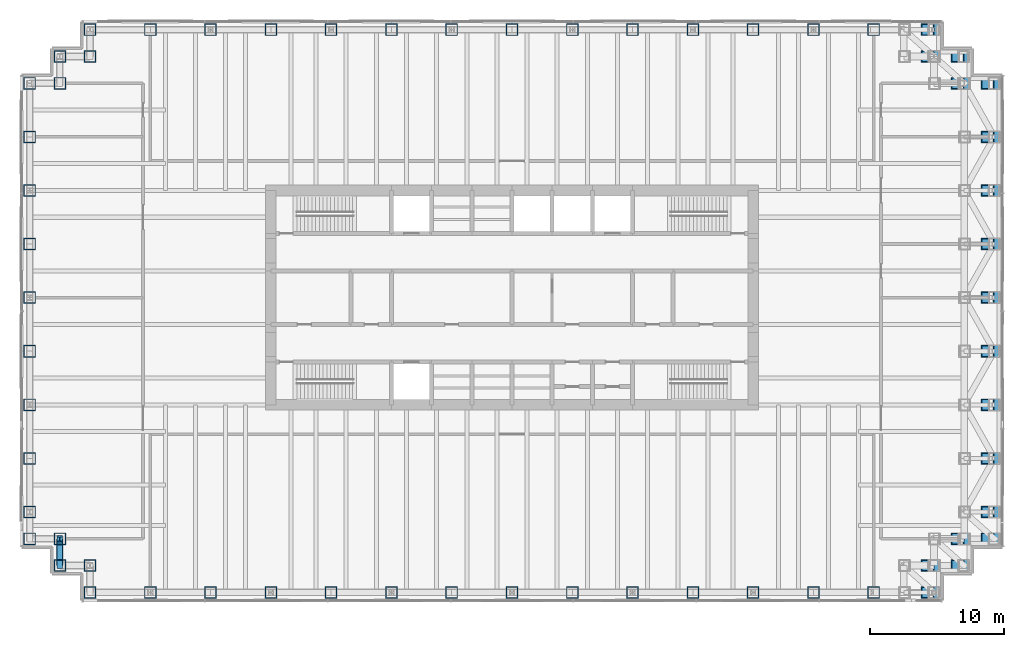
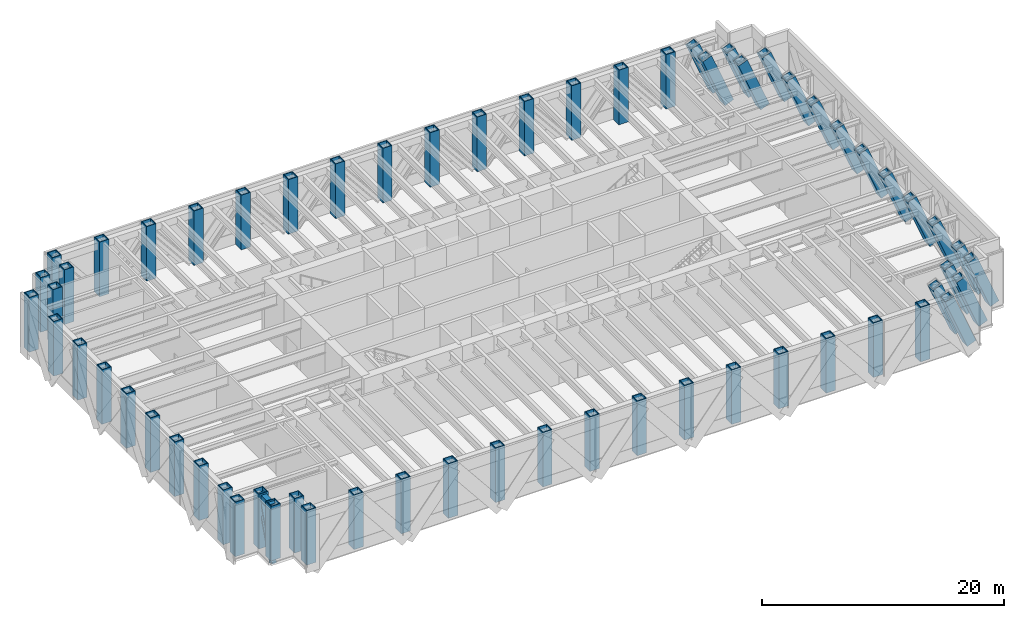
# One storey, part 1 of 17: 62 columns, 1 beam, 1 member.
"""IFC4 building model written with IfcOpenShell, lengths in metres."""

from ifc_helpers import new_model, si_unit, direction, frame, origin, origin_2d, place, context, subcontext, project, spatial, hollow_rectangle, i_section, extrude, material, material_profile, profile_set, type_object, element, save


model = new_model("IFC4")

# Units and contexts
model_context = context("Model", 3, precision=1e-05, world=origin(), true_north=direction((0.0, 1.0)))
body_context = subcontext(model_context, "Body", "Model", "MODEL_VIEW")
ifc_project = project(units=[si_unit("LENGTHUNIT", "METRE"), si_unit("AREAUNIT", "SQUARE_METRE"), si_unit("VOLUMEUNIT", "CUBIC_METRE"), si_unit("PLANEANGLEUNIT", "RADIAN"), si_unit("MASSUNIT", "GRAM", prefix="KILO")], contexts=[model_context])

# Site, building, storey
site_placement = place(None, origin())
site = spatial("IfcSite", under=ifc_project, at=site_placement, CompositionType="ELEMENT")
building_placement = place(site_placement, origin())
building = spatial("IfcBuilding", under=site, at=building_placement, Name="Rheinbord Bourse Tower", CompositionType="ELEMENT")
storey_placement = place(building_placement, frame((0.0, 0.0, 265.60009765625)))
storey = spatial("IfcBuildingStorey", under=building, at=storey_placement, Name="L60", CompositionType="ELEMENT", Elevation=265.60009765625)

# Columns
ifc_material_1 = material(Name="Steel S460M", Category="steel")
ifc_material_profile_1 = material_profile(ifc_material_1, hollow_rectangle(XDim=0.89990234375, YDim=0.89990234375, WallThickness=0.070068359375, at=origin_2d()), Name="BOX 900x900x70")
ifc_profile_set_1 = profile_set([ifc_material_profile_1], Name="Steel S460M")
column_type_1 = type_object("IfcColumnType", Name="RAKING COLUMN BOX 900x900x70", PredefinedType="USERDEFINED", material=ifc_profile_set_1)
for number, where, z_axis, x_axis, name in (
    (1, (67.4296875, 2.0, 0.172119140625), (-0.378632845721, 0.0, 0.925546956206), (0.0, -1.0, 0.0), "Column SE-E L60"),
    (2, (67.4296875, 4.0, 0.172119140625), (-0.378632845721, 0.0, 0.925546956206), (0.0, -1.0, 0.0), "Column SE-D L60"),
    (3, (69.6796875, 4.0, 0.172119140625), (-0.378632845721, 0.0, 0.925546956206), (0.925546956206, 0.0, 0.378632845721), "Column SE-C L60"),
    (4, (69.6796875, 6.0, 0.172119140625), (-0.378632845721, 0.0, 0.925546956206), (0.925546956206, 0.0, 0.378632845721), "Column SE-B L60"),
    (5, (71.9296875, 6.0, 0.172119140625), (-0.378632845721, 0.0, 0.925546956206), (0.925546956206, 0.0, 0.378632845721), "Column SE-A L60"),
    (6, (71.9296875, 8.0, 0.172119140625), (-0.378632845721, 0.0, 0.925546956206), (0.925546956206, 0.0, 0.378632845721), "Column E-8 L60"),
    (7, (71.9296875, 12.0, 0.172119140625), (-0.378632845721, 0.0, 0.925546956206), (0.925546956206, 0.0, 0.378632845721), "Column E-12 L60"),
    (8, (71.9296875, 16.0, 0.172119140625), (-0.378632845721, 0.0, 0.925546956206), (0.925546956206, 0.0, 0.378632845721), "Column E-16 L60"),
    (9, (71.9296875, 20.0, 0.172119140625), (-0.378632845721, 0.0, 0.925546956206), (0.925546956206, 0.0, 0.378632845721), "Column E-20 L60"),
    (10, (71.9296875, 24.0, 0.172119140625), (-0.378632845721, 0.0, 0.925546956206), (0.925546956206, 0.0, 0.378632845721), "Column E-24 L60"),
    (11, (71.9296875, 28.0, 0.172119140625), (-0.378632845721, 0.0, 0.925546956206), (0.925546956206, 0.0, 0.378632845721), "Column E-28 L60"),
    (12, (71.9296875, 32.0, 0.172119140625), (-0.378632845721, 0.0, 0.925546956206), (0.925546956206, 0.0, 0.378632845721), "Column E-32 L60"),
    (13, (71.9296875, 36.0, 0.172119140625), (-0.378632845721, 0.0, 0.925546956206), (0.925546956206, 0.0, 0.378632845721), "Column E-36 L60"),
    (14, (71.9296875, 40.0, 0.172119140625), (-0.378632845721, 0.0, 0.925546956206), (0.925546956206, 0.0, 0.378632845721), "Column NE-A L60"),
    (15, (69.6796875, 40.0, 0.172119140625), (-0.378632845721, 0.0, 0.925546956206), (0.925546956206, 0.0, 0.378632845721), "Column NE-B L60"),
    (16, (69.6796875, 42.0, 0.172119140625), (-0.378632845721, 0.0, 0.925546956206), (0.925546956206, 0.0, 0.378632845721), "Column NE-C L60"),
    (17, (67.4296875, 42.0, 0.172119140625), (-0.378632845721, 0.0, 0.925546956206), (0.0, -1.0, 0.0), "Column NE-D L60"),
    (18, (67.4296875, 44.0, 0.172119140625), (-0.378632845721, 0.0, 0.925546956206), (0.0, -1.0, 0.0), "Column NE-E L60"),
):
    element("IfcColumn", number, at=place(storey_placement, frame(where, z_axis=z_axis, x_axis=x_axis)), inside=storey, type_object=column_type_1, Name=name, ObjectType="RAKING COLUMN", PredefinedType="USERDEFINED", context=body_context, shape_type="SweptSolid", body=[
        extrude(hollow_rectangle(XDim=0.89990234375, YDim=0.89990234375, WallThickness=0.070068359375, at=origin_2d()), origin(), (0.0, 0.0, 1.0), 5.5703125),
    ])
ifc_material_2 = material(Name="Steel S460M", Category="steel")
ifc_material_profile_2 = material_profile(ifc_material_2, hollow_rectangle(XDim=0.89990234375, YDim=0.89990234375, WallThickness=0.070068359375, at=origin_2d()), Name="BOX 900x900x70")
ifc_profile_set_2 = profile_set([ifc_material_profile_2], Name="Steel S460M")
column_type_2 = type_object("IfcColumnType", Name="TUBE COLUMN BOX 900x900x70", PredefinedType="COLUMN", material=ifc_profile_set_2)
for number, where, z_axis, x_axis, name in (
    (19, (4.5, 2.0, 0.0), (0.0, 0.0, 1.0), (0.0, 1.0, 0.0), "Column SW-E L60"),
    (20, (9.0, 2.0, 0.0), (0.0, 0.0, 1.0), (0.0, 1.0, 0.0), "Column S-9 L60"),
    (21, (13.5, 2.0, 0.0), (0.0, 0.0, 1.0), (0.0, 1.0, 0.0), "Column S-13.5 L60"),
    (22, (18.0, 2.0, 0.0), (0.0, 0.0, 1.0), (0.0, 1.0, 0.0), "Column S-18 L60"),
    (23, (22.5, 2.0, 0.0), (0.0, 0.0, 1.0), (0.0, 1.0, 0.0), "Column S-22.5 L60"),
    (24, (27.0, 2.0, 0.0), (0.0, 0.0, 1.0), (0.0, 1.0, 0.0), "Column S-27 L60"),
    (25, (31.5, 2.0, 0.0), (0.0, 0.0, 1.0), (0.0, 1.0, 0.0), "Column S-31.5 L60"),
    (26, (36.0, 2.0, 0.0), (0.0, 0.0, 1.0), (0.0, 1.0, 0.0), "Column S-36 L60"),
    (27, (40.5, 2.0, 0.0), (0.0, 0.0, 1.0), (0.0, 1.0, 0.0), "Column S-40.5 L60"),
    (28, (45.0, 2.0, 0.0), (0.0, 0.0, 1.0), (0.0, 1.0, 0.0), "Column S-45 L60"),
    (29, (49.5, 2.0, 0.0), (0.0, 0.0, 1.0), (0.0, 1.0, 0.0), "Column S-49.5 L60"),
    (30, (54.0, 2.0, 0.0), (0.0, 0.0, 1.0), (0.0, 1.0, 0.0), "Column S-54 L60"),
    (31, (58.5, 2.0, 0.0), (0.0, 0.0, 1.0), (0.0, 1.0, 0.0), "Column S-58.5 L60"),
    (32, (63.0, 2.0, 0.0), (0.0, 0.0, 1.0), (0.0, 1.0, 0.0), "Column S-63 L60"),
    (33, (63.0, 44.0, 0.0), (0.0, 0.0, 1.0), (0.0, 1.0, 0.0), "Column N-63 L60"),
    (34, (58.5, 44.0, 0.0), (0.0, 0.0, 1.0), (0.0, 1.0, 0.0), "Column N-58.5 L60"),
    (35, (54.0, 44.0, 0.0), (0.0, 0.0, 1.0), (0.0, 1.0, 0.0), "Column N-54 L60"),
    (36, (49.5, 44.0, 0.0), (0.0, 0.0, 1.0), (0.0, 1.0, 0.0), "Column N-49.5 L60"),
    (37, (45.0, 44.0, 0.0), (0.0, 0.0, 1.0), (0.0, 1.0, 0.0), "Column N-45 L60"),
    (38, (40.5, 44.0, 0.0), (0.0, 0.0, 1.0), (0.0, 1.0, 0.0), "Column N-40.5 L60"),
    (39, (36.0, 44.0, 0.0), (0.0, 0.0, 1.0), (0.0, 1.0, 0.0), "Column N-36 L60"),
    (40, (31.5, 44.0, 0.0), (0.0, 0.0, 1.0), (0.0, 1.0, 0.0), "Column N-31.5 L60"),
    (41, (27.0, 44.0, 0.0), (0.0, 0.0, 1.0), (0.0, 1.0, 0.0), "Column N-27 L60"),
    (42, (22.5, 44.0, 0.0), (0.0, 0.0, 1.0), (0.0, 1.0, 0.0), "Column N-22.5 L60"),
    (43, (18.0, 44.0, 0.0), (0.0, 0.0, 1.0), (0.0, 1.0, 0.0), "Column N-18 L60"),
    (44, (13.5, 44.0, 0.0), (0.0, 0.0, 1.0), (0.0, 1.0, 0.0), "Column N-13.5 L60"),
    (45, (9.0, 44.0, 0.0), (0.0, 0.0, 1.0), (0.0, 1.0, 0.0), "Column N-9 L60"),
    (46, (4.5, 44.0, 0.0), (0.0, 0.0, 1.0), (0.0, 1.0, 0.0), "Column NW-E L60"),
    (47, (4.5, 42.0, 0.0), (0.0, 0.0, 1.0), (0.0, 1.0, 0.0), "Column NW-D L60"),
    (48, (2.25, 42.0, 0.0), (0.0, 0.0, 1.0), (1.0, 0.0, 0.0), "Column NW-C L60"),
    (49, (2.25, 40.0, 0.0), (0.0, 0.0, 1.0), (1.0, 0.0, 0.0), "Column NW-B L60"),
    (50, (0.0, 40.0, 0.0), (0.0, 0.0, 1.0), (1.0, 0.0, 0.0), "Column NW-A L60"),
    (51, (0.0, 36.0, 0.0), (0.0, 0.0, 1.0), (1.0, 0.0, 0.0), "Column W-36 L60"),
    (52, (0.0, 32.0, 0.0), (0.0, 0.0, 1.0), (1.0, 0.0, 0.0), "Column W-32 L60"),
    (53, (0.0, 28.0, 0.0), (0.0, 0.0, 1.0), (1.0, 0.0, 0.0), "Column W-28 L60"),
    (54, (0.0, 24.0, 0.0), (0.0, 0.0, 1.0), (1.0, 0.0, 0.0), "Column W-24 L60"),
    (55, (0.0, 20.0, 0.0), (0.0, 0.0, 1.0), (1.0, 0.0, 0.0), "Column W-20 L60"),
    (56, (0.0, 16.0, 0.0), (0.0, 0.0, 1.0), (1.0, 0.0, 0.0), "Column W-16 L60"),
    (57, (0.0, 12.0, 0.0), (0.0, 0.0, 1.0), (1.0, 0.0, 0.0), "Column W-12 L60"),
    (58, (0.0, 8.0, 0.0), (0.0, 0.0, 1.0), (1.0, 0.0, 0.0), "Column W-8 L60"),
    (59, (0.0, 6.0, 0.0), (0.0, 0.0, 1.0), (1.0, 0.0, 0.0), "Column SW-A L60"),
    (60, (2.25, 6.0, 0.0), (0.0, 0.0, 1.0), (1.0, 0.0, 0.0), "Column SW-B L60"),
    (61, (2.25, 4.0, 0.0), (0.0, 0.0, 1.0), (1.0, 0.0, 0.0), "Column SW-C L60"),
    (62, (4.5, 4.0, 0.0), (0.0, 0.0, 1.0), (0.0, 1.0, 0.0), "Column SW-D L60"),
):
    element("IfcColumn", number, at=place(storey_placement, frame(where, z_axis=z_axis, x_axis=x_axis)), inside=storey, type_object=column_type_2, Name=name, PredefinedType="COLUMN", context=body_context, shape_type="SweptSolid", body=[
        extrude(hollow_rectangle(XDim=0.89990234375, YDim=0.89990234375, WallThickness=0.070068359375, at=origin_2d()), origin(), (0.0, 0.0, 1.0), 5.5),
    ])

# Beam
ifc_material_3 = material(Name="Steel S460M", Category="steel")
ifc_material_profile_3 = material_profile(ifc_material_3, hollow_rectangle(XDim=0.5, YDim=0.699951171875, WallThickness=0.0400390625, at=origin_2d()), Name="BOX 700x500x40")
ifc_profile_set_3 = profile_set([ifc_material_profile_3], Name="Steel S460M")
beam_type = type_object("IfcBeamType", Name="BELT CHORD BOX 700x500x40", PredefinedType="SPANDREL", material=ifc_profile_set_3)
beam_placement = place(storey_placement, frame((2.25, 6.0, 4.989990234375), z_axis=(0.0, -1.0, 0.0), x_axis=(1.0, 0.0, 0.0)))
element("IfcBeam", 63, at=beam_placement, inside=storey, type_object=beam_type, Name="Spandrel SW-B-SW-C under L61", PredefinedType="SPANDREL", context=body_context, shape_type="SweptSolid", body=[
    extrude(hollow_rectangle(XDim=0.5, YDim=0.699951171875, WallThickness=0.0400390625, at=origin_2d()), origin(), (0.0, 0.0, 1.0), 2.0),
])

# Member
ifc_material_4 = material(Name="Steel S460", Category="steel")
ifc_material_profile_4 = material_profile(ifc_material_4, i_section(OverallWidth=0.431884765625, OverallDepth=0.498046875, WebThickness=0.0556640625, FlangeThickness=0.0888671875, at=origin_2d()), Name="HD 400x744")
ifc_profile_set_4 = profile_set([ifc_material_profile_4], Name="Steel S460")
member_type = type_object("IfcMemberType", Name="BELT DIAGONAL HD 400x744", PredefinedType="STRUT", material=ifc_profile_set_4)
member_placement = place(storey_placement, frame((2.25, 4.0, -0.60009765625), z_axis=(0.0, 0.336865151883, 0.941552903159), x_axis=(-1.0, 0.0, 0.0)))
element("IfcMember", 64, at=member_placement, inside=storey, type_object=member_type, Name="Belt truss diagonal SW-B-SW-C L60", PredefinedType="STRUT", context=body_context, shape_type="SweptSolid", body=[
    extrude(i_section(OverallWidth=0.431884765625, OverallDepth=0.498046875, WebThickness=0.0556640625, FlangeThickness=0.0888671875, at=origin_2d()), origin(), (0.0, 0.0, 1.0), 5.93701171875),
])

save(model, "model.ifc")
